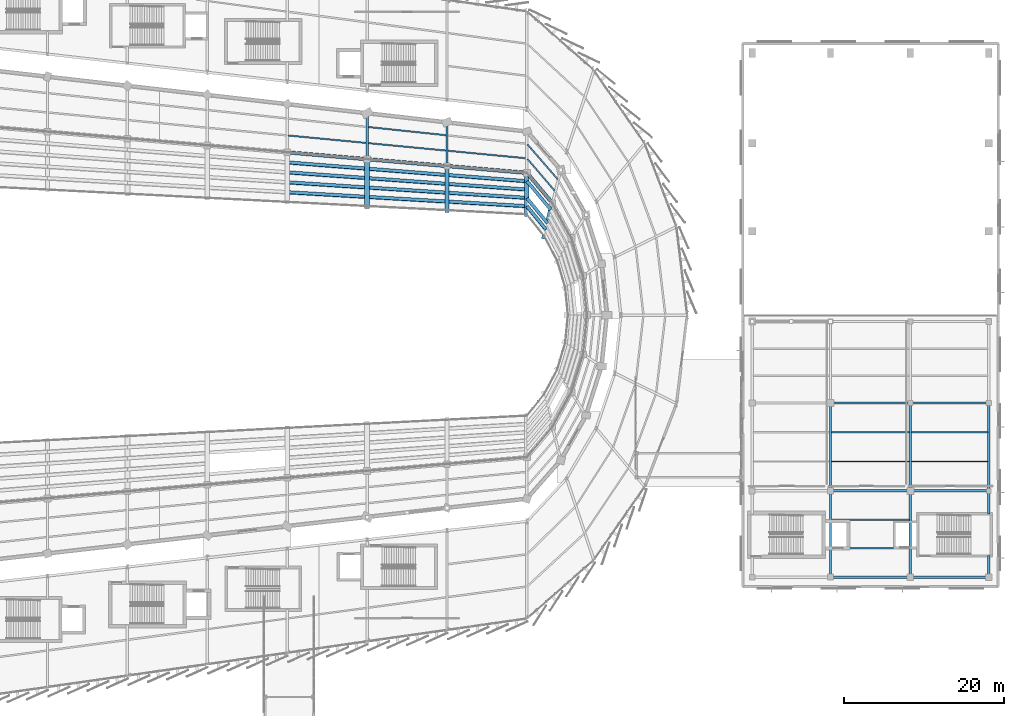
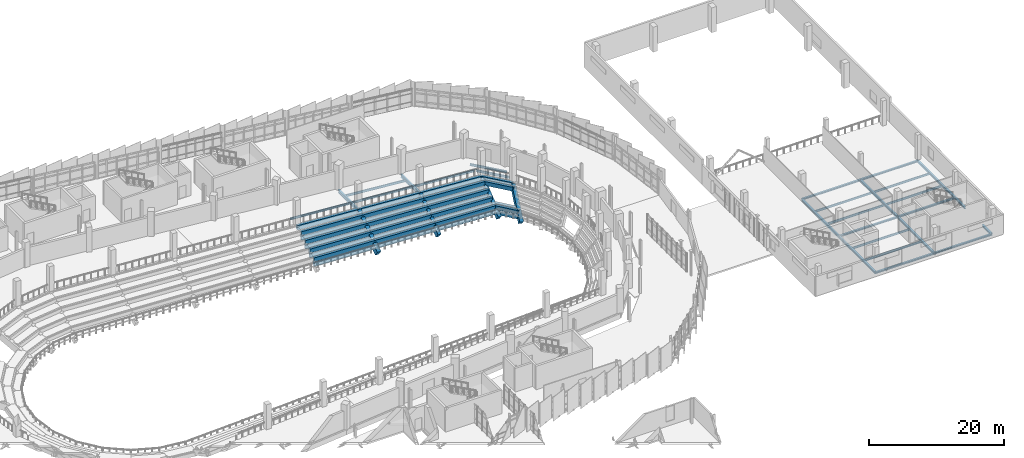
# One storey, part 70 of 134: 63 beams.
"""IFC4 building model written with IfcOpenShell, lengths in metres."""

import ifcopenshell
import ifcopenshell.guid

model = None  # the IFC model being written
_history = None  # IfcOwnerHistory: only IFC2X3 demands one
_inside = {}  # id of a spatial element -> (the spatial element, [elements in it])
_under = {}  # id of a project, library or spatial element -> (it, [spatial elements below it])
_declared = {}  # id of a project -> (the project, [libraries it declares])
_typed = {}  # id of a type object -> (the type object, [elements of that type])
_made_of = {}  # id of a material, layer set ... -> (it, [elements and type objects made of it])


def new_model(schema):
    """Start an empty IFC model of exactly this schema.

    Asked for "IFC4X3", IfcOpenShell would pick the latest addendum, in which some entities
    have other attributes; the version numbers below select the first issue.
    IFC2X3 requires an IfcOwnerHistory on every rooted entity: one is made here for all.
    """
    global model, _history
    if schema == "IFC4X3":
        model = ifcopenshell.file(schema_version=(4, 3, 0, 0))
    else:
        model = ifcopenshell.file(schema=schema)
    _inside.clear()
    _under.clear()
    _declared.clear()
    _typed.clear()
    _made_of.clear()
    _history = None
    if model.schema == "IFC2X3":
        org = make("IfcOrganization", Name="unknown")
        user = make(
            "IfcPersonAndOrganization",
            ThePerson=make("IfcPerson", FamilyName="unknown"),
            TheOrganization=org,
        )
        app = make(
            "IfcApplication",
            ApplicationDeveloper=org,
            Version="unknown",
            ApplicationFullName="unknown",
            ApplicationIdentifier="unknown",
        )
        _history = make(
            "IfcOwnerHistory",
            OwningUser=user,
            OwningApplication=app,
            ChangeAction="ADDED",
            CreationDate=0,
        )
    return model


def make(cls, **values):
    """One entity of the class cls with the attributes given. An attribute that is None is left unset."""
    return model.create_entity(
        cls, **{name: value for name, value in values.items() if value is not None}
    )


def rooted(cls, **values):
    """An entity with a GlobalId (a new one), such as an element, a storey or a relation."""
    return make(cls, GlobalId=ifcopenshell.guid.new(), OwnerHistory=_history, **values)


def si_unit(unit_type, name, prefix=None):
    """IfcSIUnit, for example si_unit("LENGTHUNIT", "METRE", prefix="MILLI")."""
    return make("IfcSIUnit", UnitType=unit_type, Prefix=prefix, Name=name)


def assignment(units):
    """IfcUnitAssignment: the units of a project."""
    return None if units is None else make("IfcUnitAssignment", Units=units)


def point(xyz):
    """IfcCartesianPoint."""
    return None if xyz is None else make("IfcCartesianPoint", Coordinates=xyz)


def direction(xyz):
    """IfcDirection."""
    return None if xyz is None else make("IfcDirection", DirectionRatios=xyz)


def frame(location, z_axis=None, x_axis=None):
    """IfcAxis2Placement3D, a coordinate frame: its origin and axes. An axis left out is left unset."""
    return make(
        "IfcAxis2Placement3D",
        Location=point(location),
        Axis=direction(z_axis),
        RefDirection=direction(x_axis),
    )


def frame_2d(location, x_axis=None):
    """IfcAxis2Placement2D, a coordinate frame in the plane: its origin and x axis."""
    return make(
        "IfcAxis2Placement2D", Location=point(location), RefDirection=direction(x_axis)
    )


def origin():
    """The frame at (0, 0, 0) with its axes left unset."""
    return frame((0.0, 0.0, 0.0))


def origin_2d():
    """The frame at (0, 0) in the plane with its x axis left unset."""
    return frame_2d((0.0, 0.0))


def place(relative_to, where):
    """IfcLocalPlacement: puts the frame where relative to a parent placement (None: the world)."""
    return make(
        "IfcLocalPlacement", PlacementRelTo=relative_to, RelativePlacement=where
    )


def context(
    kind, dimensions, precision=None, world=None, true_north=None, identifier=None
):
    """IfcGeometricRepresentationContext, for example the 3D "Model" context."""
    return make(
        "IfcGeometricRepresentationContext",
        ContextIdentifier=identifier,
        ContextType=kind,
        CoordinateSpaceDimension=dimensions,
        Precision=precision,
        WorldCoordinateSystem=world,
        TrueNorth=true_north,
    )


def subcontext(parent, identifier, kind, view, scale=None):
    """IfcGeometricRepresentationSubContext, for example "Body" below "Model"."""
    return make(
        "IfcGeometricRepresentationSubContext",
        ContextIdentifier=identifier,
        ContextType=kind,
        ParentContext=parent,
        TargetScale=scale,
        TargetView=view,
    )


def project(units=None, contexts=None):
    """IfcProject with its units and contexts."""
    return rooted(
        "IfcProject",
        Name="project",
        RepresentationContexts=contexts,
        UnitsInContext=assignment(units),
    )


def spatial(cls, under=None, at=None, **own):
    """A site, building, storey or space (cls), placed at a placement, below another one or the project."""
    s = rooted(cls, ObjectPlacement=at, **own)
    if under is not None:
        _under.setdefault(under.id(), (under, []))[1].append(s)
    return s


def profile(cls, at=None, kind="AREA", **sizes):
    """A parametric profile (cls). Its sizes go by their IFC names, for example OverallWidth=200.0."""
    return make(cls, ProfileType=kind, Position=at, **sizes)


def rectangle(**sizes):
    """IfcRectangleProfileDef."""
    return profile("IfcRectangleProfileDef", **sizes)


def i_section(**sizes):
    """IfcIShapeProfileDef."""
    return profile("IfcIShapeProfileDef", **sizes)


def extrude(swept, where, along, depth):
    """IfcExtrudedAreaSolid: the profile swept, set in the frame where, extruded along a direction by depth."""
    return make(
        "IfcExtrudedAreaSolid",
        SweptArea=swept,
        Position=where,
        ExtrudedDirection=direction(along),
        Depth=depth,
    )


def shape(context_of_items, identifier, shape_type, items):
    """IfcShapeRepresentation: the items that make up one representation, for example the "Body"."""
    return make(
        "IfcShapeRepresentation",
        ContextOfItems=context_of_items,
        RepresentationIdentifier=identifier,
        RepresentationType=shape_type,
        Items=items,
    )


def material(Name=None, Category=None):
    """IfcMaterial."""
    return make("IfcMaterial", Name=Name, Category=Category)


def material_profile(
    of_material, cross_section, Name=None, Category=None, Priority=None
):
    """IfcMaterialProfile: a cross section and its material."""
    return make(
        "IfcMaterialProfile",
        Name=Name,
        Material=of_material,
        Profile=cross_section,
        Priority=Priority,
        Category=Category,
    )


def profile_set(profiles, Name=None, composite=None):
    """IfcMaterialProfileSet."""
    return make(
        "IfcMaterialProfileSet",
        Name=Name,
        MaterialProfiles=profiles,
        CompositeProfile=composite,
    )


def made_of(thing, what):
    """Note that an element or type object is made of a material, layer set ...; save() writes the relation."""
    if what is not None:
        _made_of.setdefault(what.id(), (what, []))[1].append(thing)
    return thing


def type_object(cls, material=None, **own):
    """A type object (cls), such as IfcWallType, which elements share."""
    return made_of(rooted(cls, **own), material)


def element(
    cls,
    number,
    at=None,
    inside=None,
    cuts=None,
    type_object=None,
    material=None,
    context=None,
    identifier="Body",
    shape_type=None,
    held_by="IfcProductDefinitionShape",
    body=None,
    shapes=None,
    **own,
):
    """One element of the class cls, such as IfcWall. Its Tag is "e" and its number.

    at: its placement. inside: the storey or other place that contains it. cuts: it is an
    opening in that element (IfcRelVoidsElement). A single representation is given by context,
    identifier, shape_type and body (its items); several are given by shapes. held_by: the class
    of the entity that holds the representations. save() writes the other relations.
    """
    e = rooted(cls, Tag="e%d" % number, ObjectPlacement=at, **own)
    if body is not None:
        shapes = [shape(context, identifier, shape_type, body)]
    if shapes is not None:
        e.Representation = make(held_by, Representations=shapes)
    if inside is not None:
        _inside.setdefault(inside.id(), (inside, []))[1].append(e)
    if cuts is not None:
        rooted(
            "IfcRelVoidsElement", RelatingBuildingElement=cuts, RelatedOpeningElement=e
        )
    if type_object is not None:
        _typed.setdefault(type_object.id(), (type_object, []))[1].append(e)
    return made_of(e, material)


def aggregate(whole, parts):
    """IfcRelAggregates: a whole, such as a stair, and the parts it consists of."""
    return rooted("IfcRelAggregates", RelatingObject=whole, RelatedObjects=parts)


def save(model, path):
    """Write the relations noted so far, then the file.

    IfcRelAggregates (storeys below a building ...), IfcRelContainedInSpatialStructure (elements
    in a storey), IfcRelDefinesByType, IfcRelAssociatesMaterial and IfcRelDeclares: one each for
    every whole, place, type object, material and project.
    """
    for whole, parts in _under.values():
        aggregate(whole, parts)
    for where, things in _inside.values():
        rooted(
            "IfcRelContainedInSpatialStructure",
            RelatedElements=things,
            RelatingStructure=where,
        )
    for kind, things in _typed.values():
        rooted("IfcRelDefinesByType", RelatedObjects=things, RelatingType=kind)
    for what, things in _made_of.values():
        rooted("IfcRelAssociatesMaterial", RelatedObjects=things, RelatingMaterial=what)
    for by, libraries in _declared.values():
        rooted("IfcRelDeclares", RelatingContext=by, RelatedDefinitions=libraries)
    model.write(path)


model = new_model("IFC4")

# Units and contexts
model_context = context("Model", 3, precision=1e-05, world=origin(), true_north=direction((0.0, 1.0)))
body_context = subcontext(model_context, "Body", "Model", "MODEL_VIEW")
ifc_project = project(units=[si_unit("LENGTHUNIT", "METRE"), si_unit("AREAUNIT", "SQUARE_METRE"), si_unit("VOLUMEUNIT", "CUBIC_METRE"), si_unit("PLANEANGLEUNIT", "RADIAN"), si_unit("MASSUNIT", "GRAM", prefix="KILO")], contexts=[model_context])

# Site, building, storey
site_placement = place(None, origin())
site = spatial("IfcSite", under=ifc_project, at=site_placement, CompositionType="ELEMENT")
building_placement = place(site_placement, origin())
building = spatial("IfcBuilding", under=site, at=building_placement, Name="Sohan Crest Arena", CompositionType="ELEMENT")
storey_placement = place(building_placement, frame((0.0, 0.0, 4.5)))
storey = spatial("IfcBuildingStorey", under=building, at=storey_placement, Name="L01", CompositionType="ELEMENT", Elevation=4.5)

# Beams
ifc_material_1 = material(Name="Steel S355", Category="steel")
ifc_material_profile_1 = material_profile(ifc_material_1, i_section(OverallWidth=0.169921875, OverallDepth=0.360107421875, WebThickness=0.008056640625, FlangeThickness=0.0126953125, at=origin_2d()), Name="IPE 360")
ifc_profile_set_1 = profile_set([ifc_material_profile_1], Name="Steel S355")
beam_type_1 = type_object("IfcBeamType", Name="STR-BM-B02", PredefinedType="JOIST", material=ifc_profile_set_1)
for number, where, z_axis, x_axis, name in (
    (1, (206.110107421875, 48.800048828125, -0.409912109375), (1.0, 0.0, 0.0), (0.0, 1.0, 0.0), "Structural beam J-L01-2280"),
    (2, (206.110107421875, 52.39990234375, -0.409912109375), (1.0, 0.0, 0.0), (0.0, 1.0, 0.0), "Structural beam J-L01-2281"),
    (3, (206.110107421875, 59.6669921875, -0.409912109375), (1.0, 0.0, 0.0), (0.0, 1.0, 0.0), "Structural beam J-L01-2287"),
    (4, (206.110107421875, 63.3330078125, -0.409912109375), (1.0, 0.0, 0.0), (0.0, 1.0, 0.0), "Structural beam J-L01-2288"),
):
    element("IfcBeam", number, at=place(storey_placement, frame(where, z_axis=z_axis, x_axis=x_axis)), inside=storey, type_object=beam_type_1, Name=name, PredefinedType="JOIST", context=body_context, shape_type="SweptSolid", body=[
        extrude(i_section(OverallWidth=0.169921875, OverallDepth=0.360107421875, WebThickness=0.008056640625, FlangeThickness=0.0126953125, at=origin_2d()), origin(), (0.0, 0.0, 1.0), 9.77978515625),
    ])
for number, where, z_axis, x_axis, name in (
    (5, (216.110107421875, 59.6669921875, -0.409912109375), (1.0, 0.0, 0.0), (0.0, 1.0, 0.0), "Structural beam J-L01-2290"),
    (6, (216.110107421875, 63.3330078125, -0.409912109375), (1.0, 0.0, 0.0), (0.0, 1.0, 0.0), "Structural beam J-L01-2291"),
):
    element("IfcBeam", number, at=place(storey_placement, frame(where, z_axis=z_axis, x_axis=x_axis)), inside=storey, type_object=beam_type_1, Name=name, PredefinedType="JOIST", context=body_context, shape_type="SweptSolid", body=[
        extrude(i_section(OverallWidth=0.169921875, OverallDepth=0.360107421875, WebThickness=0.008056640625, FlangeThickness=0.0126953125, at=origin_2d()), origin(), (0.0, 0.0, 1.0), 9.579833984375),
    ])
ifc_material_profile_2 = material_profile(ifc_material_1, i_section(OverallWidth=0.179931640625, OverallDepth=0.39990234375, WebThickness=0.008544921875, FlangeThickness=0.013427734375, at=origin_2d()), Name="IPE 400")
ifc_profile_set_2 = profile_set([ifc_material_profile_2], Name="Steel S355")
beam_type_2 = type_object("IfcBeamType", Name="STR-BM-B03", PredefinedType="JOIST", material=ifc_profile_set_2)
beam_1_placement = place(storey_placement, frame((171.489013671875, 93.5458984375, -0.449951171875), z_axis=(-0.65046216093, 0.759538660766, 0.0), x_axis=(-0.759538660766, -0.65046216093, 0.0)))
element("IfcBeam", 7, at=beam_1_placement, inside=storey, type_object=beam_type_2, Name="Structural beam J-L01-0645", PredefinedType="JOIST", context=body_context, shape_type="SweptSolid", body=[
    extrude(i_section(OverallWidth=0.179931640625, OverallDepth=0.39990234375, WebThickness=0.008544921875, FlangeThickness=0.013427734375, at=origin_2d()), origin(), (0.0, 0.0, 1.0), 5.253173828125),
])
beam_2_placement = place(storey_placement, frame((171.85595703125, 94.993896484375, -0.449951171875), z_axis=(-0.655191219496, 0.755463080432, 0.0), x_axis=(-0.755463080432, -0.655191219496, 0.0)))
element("IfcBeam", 8, at=beam_2_placement, inside=storey, type_object=beam_type_2, Name="Structural beam J-L01-0646", PredefinedType="JOIST", context=body_context, shape_type="SweptSolid", body=[
    extrude(i_section(OverallWidth=0.179931640625, OverallDepth=0.39990234375, WebThickness=0.008544921875, FlangeThickness=0.013427734375, at=origin_2d()), origin(), (0.0, 0.0, 1.0), 5.775390625),
])
for number, where, z_axis, x_axis, name in (
    (9, (167.89111328125, 97.6298828125, -0.449951171875), (-0.995443739336, 0.095350730547, 0.0), (-0.095350730547, -0.995443739336, 0.0), "Structural beam J-L01-0667"),
    (10, (157.89111328125, 98.5869140625, -0.449951171875), (-0.995443739336, 0.095350730547, 0.0), (-0.095350730547, -0.995443739336, 0.0), "Structural beam J-L01-0689"),
):
    element("IfcBeam", number, at=place(storey_placement, frame(where, z_axis=z_axis, x_axis=x_axis)), inside=storey, type_object=beam_type_2, Name=name, PredefinedType="JOIST", context=body_context, shape_type="SweptSolid", body=[
        extrude(i_section(OverallWidth=0.179931640625, OverallDepth=0.39990234375, WebThickness=0.008544921875, FlangeThickness=0.013427734375, at=origin_2d()), origin(), (0.0, 0.0, 1.0), 9.826904296875),
    ])
beam_3_placement = place(storey_placement, frame((157.89111328125, 100.509033203125, -0.449951171875), z_axis=(-0.994470991784, 0.105011649352, 0.0), x_axis=(-0.105011649352, -0.994470991784, 0.0)))
element("IfcBeam", 11, at=beam_3_placement, inside=storey, type_object=beam_type_2, Name="Structural beam J-L01-0690", PredefinedType="JOIST", context=body_context, shape_type="SweptSolid", body=[
    extrude(i_section(OverallWidth=0.179931640625, OverallDepth=0.39990234375, WebThickness=0.008544921875, FlangeThickness=0.013427734375, at=origin_2d()), origin(), (0.0, 0.0, 1.0), 9.836669921875),
])
beam_4_placement = place(storey_placement, frame((147.89111328125, 99.5439453125, -0.449951171875), z_axis=(-0.995443739336, 0.095350730547, 0.0), x_axis=(-0.095350730547, -0.995443739336, 0.0)))
element("IfcBeam", 12, at=beam_4_placement, inside=storey, type_object=beam_type_2, Name="Structural beam J-L01-0711", PredefinedType="JOIST", context=body_context, shape_type="SweptSolid", body=[
    extrude(i_section(OverallWidth=0.179931640625, OverallDepth=0.39990234375, WebThickness=0.008544921875, FlangeThickness=0.013427734375, at=origin_2d()), origin(), (0.0, 0.0, 1.0), 9.826904296875),
])
ifc_material_profile_3 = material_profile(ifc_material_1, i_section(OverallWidth=0.300048828125, OverallDepth=0.2900390625, WebThickness=0.008544921875, FlangeThickness=0.013916015625, at=origin_2d()), Name="HEA 300")
ifc_profile_set_3 = profile_set([ifc_material_profile_3], Name="Steel S355")
beam_type_3 = type_object("IfcBeamType", Name="STR-BM-B08", PredefinedType="BEAM", material=ifc_profile_set_3)
beam_5_placement = place(storey_placement, frame((206.0, 45.199951171875, -0.375), z_axis=(1.0, 0.0, 0.0), x_axis=(0.0, 1.0, 0.0)))
element("IfcBeam", 13, at=beam_5_placement, inside=storey, type_object=beam_type_3, Name="Structural beam G-L01-2279", PredefinedType="BEAM", context=body_context, shape_type="SweptSolid", body=[
    extrude(i_section(OverallWidth=0.300048828125, OverallDepth=0.2900390625, WebThickness=0.008544921875, FlangeThickness=0.013916015625, at=origin_2d()), origin(), (0.0, 0.0, 1.0), 10.0),
])
beam_6_placement = place(storey_placement, frame((216.0, 45.199951171875, -0.375), z_axis=(1.0, 0.0, 0.0), x_axis=(0.0, 1.0, 0.0)))
element("IfcBeam", 14, at=beam_6_placement, inside=storey, type_object=beam_type_3, Name="Structural beam G-L01-2282", PredefinedType="BEAM", context=body_context, shape_type="SweptSolid", body=[
    extrude(i_section(OverallWidth=0.300048828125, OverallDepth=0.2900390625, WebThickness=0.008544921875, FlangeThickness=0.013916015625, at=origin_2d()), origin(), (0.0, 0.0, 1.0), 9.800048828125),
])
beam_7_placement = place(storey_placement, frame((206.0, 56.0, -0.375), z_axis=(1.0, 0.0, 0.0), x_axis=(0.0, 1.0, 0.0)))
element("IfcBeam", 15, at=beam_7_placement, inside=storey, type_object=beam_type_3, Name="Structural beam G-L01-2286", PredefinedType="BEAM", context=body_context, shape_type="SweptSolid", body=[
    extrude(i_section(OverallWidth=0.300048828125, OverallDepth=0.2900390625, WebThickness=0.008544921875, FlangeThickness=0.013916015625, at=origin_2d()), origin(), (0.0, 0.0, 1.0), 10.0),
])
beam_8_placement = place(storey_placement, frame((216.0, 56.0, -0.375), z_axis=(1.0, 0.0, 0.0), x_axis=(0.0, 1.0, 0.0)))
element("IfcBeam", 16, at=beam_8_placement, inside=storey, type_object=beam_type_3, Name="Structural beam G-L01-2289", PredefinedType="BEAM", context=body_context, shape_type="SweptSolid", body=[
    extrude(i_section(OverallWidth=0.300048828125, OverallDepth=0.2900390625, WebThickness=0.008544921875, FlangeThickness=0.013916015625, at=origin_2d()), origin(), (0.0, 0.0, 1.0), 9.800048828125),
])
beam_9_placement = place(storey_placement, frame((206.0, 67.0, -0.375), z_axis=(1.0, 0.0, 0.0), x_axis=(0.0, 1.0, 0.0)))
element("IfcBeam", 17, at=beam_9_placement, inside=storey, type_object=beam_type_3, Name="Structural beam G-L01-2295", PredefinedType="BEAM", context=body_context, shape_type="SweptSolid", body=[
    extrude(i_section(OverallWidth=0.300048828125, OverallDepth=0.2900390625, WebThickness=0.008544921875, FlangeThickness=0.013916015625, at=origin_2d()), origin(), (0.0, 0.0, 1.0), 10.0),
])
beam_10_placement = place(storey_placement, frame((216.0, 67.0, -0.375), z_axis=(1.0, 0.0, 0.0), x_axis=(0.0, 1.0, 0.0)))
element("IfcBeam", 18, at=beam_10_placement, inside=storey, type_object=beam_type_3, Name="Structural beam G-L01-2298", PredefinedType="BEAM", context=body_context, shape_type="SweptSolid", body=[
    extrude(i_section(OverallWidth=0.300048828125, OverallDepth=0.2900390625, WebThickness=0.008544921875, FlangeThickness=0.013916015625, at=origin_2d()), origin(), (0.0, 0.0, 1.0), 9.800048828125),
])
ifc_material_profile_4 = material_profile(ifc_material_1, i_section(OverallWidth=0.300048828125, OverallDepth=0.389892578125, WebThickness=0.010986328125, FlangeThickness=0.01904296875, at=origin_2d()), Name="HEA 400")
ifc_profile_set_4 = profile_set([ifc_material_profile_4], Name="Steel S355")
beam_type_4 = type_object("IfcBeamType", Name="STR-BM-B09", PredefinedType="BEAM", material=ifc_profile_set_4)
beam_11_placement = place(storey_placement, frame((206.0, 45.199951171875, -0.425048828125), z_axis=(0.0, 1.0, 0.0), x_axis=(-1.0, 0.0, 0.0)))
element("IfcBeam", 19, at=beam_11_placement, inside=storey, type_object=beam_type_4, Name="Structural beam G-L01-2268", PredefinedType="BEAM", context=body_context, shape_type="SweptSolid", body=[
    extrude(i_section(OverallWidth=0.300048828125, OverallDepth=0.389892578125, WebThickness=0.010986328125, FlangeThickness=0.01904296875, at=origin_2d()), origin(), (0.0, 0.0, 1.0), 10.800048828125),
])
beam_12_placement = place(storey_placement, frame((206.0, 56.0, -0.425048828125), z_axis=(0.0, 1.0, 0.0), x_axis=(-1.0, 0.0, 0.0)))
element("IfcBeam", 20, at=beam_12_placement, inside=storey, type_object=beam_type_4, Name="Structural beam G-L01-2269", PredefinedType="BEAM", context=body_context, shape_type="SweptSolid", body=[
    extrude(i_section(OverallWidth=0.300048828125, OverallDepth=0.389892578125, WebThickness=0.010986328125, FlangeThickness=0.01904296875, at=origin_2d()), origin(), (0.0, 0.0, 1.0), 11.0),
])
beam_13_placement = place(storey_placement, frame((216.0, 45.199951171875, -0.425048828125), z_axis=(0.0, 1.0, 0.0), x_axis=(-1.0, 0.0, 0.0)))
element("IfcBeam", 21, at=beam_13_placement, inside=storey, type_object=beam_type_4, Name="Structural beam G-L01-2271", PredefinedType="BEAM", context=body_context, shape_type="SweptSolid", body=[
    extrude(i_section(OverallWidth=0.300048828125, OverallDepth=0.389892578125, WebThickness=0.010986328125, FlangeThickness=0.01904296875, at=origin_2d()), origin(), (0.0, 0.0, 1.0), 10.800048828125),
])
beam_14_placement = place(storey_placement, frame((216.0, 56.0, -0.425048828125), z_axis=(0.0, 1.0, 0.0), x_axis=(-1.0, 0.0, 0.0)))
element("IfcBeam", 22, at=beam_14_placement, inside=storey, type_object=beam_type_4, Name="Structural beam G-L01-2272", PredefinedType="BEAM", context=body_context, shape_type="SweptSolid", body=[
    extrude(i_section(OverallWidth=0.300048828125, OverallDepth=0.389892578125, WebThickness=0.010986328125, FlangeThickness=0.01904296875, at=origin_2d()), origin(), (0.0, 0.0, 1.0), 11.0),
])
beam_15_placement = place(storey_placement, frame((225.800048828125, 45.199951171875, -0.425048828125), z_axis=(0.0, 1.0, 0.0), x_axis=(-1.0, 0.0, 0.0)))
element("IfcBeam", 23, at=beam_15_placement, inside=storey, type_object=beam_type_4, Name="Structural beam G-L01-2274", PredefinedType="BEAM", context=body_context, shape_type="SweptSolid", body=[
    extrude(i_section(OverallWidth=0.300048828125, OverallDepth=0.389892578125, WebThickness=0.010986328125, FlangeThickness=0.01904296875, at=origin_2d()), origin(), (0.0, 0.0, 1.0), 2.719970703125),
])
beam_16_placement = place(storey_placement, frame((225.800048828125, 53.080078125, -0.425048828125), z_axis=(0.0, 1.0, 0.0), x_axis=(-1.0, 0.0, 0.0)))
element("IfcBeam", 24, at=beam_16_placement, inside=storey, type_object=beam_type_4, Name="Structural beam G-L01-2275", PredefinedType="BEAM", context=body_context, shape_type="SweptSolid", body=[
    extrude(i_section(OverallWidth=0.300048828125, OverallDepth=0.389892578125, WebThickness=0.010986328125, FlangeThickness=0.01904296875, at=origin_2d()), origin(), (0.0, 0.0, 1.0), 2.919921875),
])
beam_17_placement = place(storey_placement, frame((225.800048828125, 56.0, -0.425048828125), z_axis=(0.0, 1.0, 0.0), x_axis=(-1.0, 0.0, 0.0)))
element("IfcBeam", 25, at=beam_17_placement, inside=storey, type_object=beam_type_4, Name="Structural beam G-L01-2276", PredefinedType="BEAM", context=body_context, shape_type="SweptSolid", body=[
    extrude(i_section(OverallWidth=0.300048828125, OverallDepth=0.389892578125, WebThickness=0.010986328125, FlangeThickness=0.01904296875, at=origin_2d()), origin(), (0.0, 0.0, 1.0), 11.0),
])
ifc_material_profile_5 = material_profile(ifc_material_1, i_section(OverallWidth=0.300048828125, OverallDepth=0.590087890625, WebThickness=0.012939453125, FlangeThickness=0.02490234375, at=origin_2d()), Name="HEA 600")
ifc_profile_set_5 = profile_set([ifc_material_profile_5], Name="Steel S355")
beam_type_5 = type_object("IfcBeamType", Name="STR-BM-B11", PredefinedType="BEAM", material=ifc_profile_set_5)
beam_18_placement = place(storey_placement, frame((158.0, 96.656982421875, -0.544921875), z_axis=(0.0, 1.0, 0.0), x_axis=(-1.0, 0.0, 0.0)))
element("IfcBeam", 26, at=beam_18_placement, inside=storey, type_object=beam_type_5, Name="Structural beam G-L01-0688", PredefinedType="BEAM", context=body_context, shape_type="SweptSolid", body=[
    extrude(i_section(OverallWidth=0.300048828125, OverallDepth=0.590087890625, WebThickness=0.012939453125, FlangeThickness=0.02490234375, at=origin_2d()), origin(), (0.0, 0.0, 1.0), 5.486083984375),
])
beam_19_placement = place(storey_placement, frame((148.0, 97.513916015625, -0.544921875), z_axis=(0.0, 1.0, 0.0), x_axis=(-1.0, 0.0, 0.0)))
element("IfcBeam", 27, at=beam_19_placement, inside=storey, type_object=beam_type_5, Name="Structural beam G-L01-0710", PredefinedType="BEAM", context=body_context, shape_type="SweptSolid", body=[
    extrude(i_section(OverallWidth=0.300048828125, OverallDepth=0.590087890625, WebThickness=0.012939453125, FlangeThickness=0.02490234375, at=origin_2d()), origin(), (0.0, 0.0, 1.0), 5.77197265625),
])
ifc_material_2 = material(Name="Precast concrete C50/60", Category="concrete")
ifc_material_profile_6 = material_profile(ifc_material_2, rectangle(XDim=0.550048828125, YDim=0.89990234375, at=origin_2d()), Name="RAKER 550x900")
ifc_profile_set_6 = profile_set([ifc_material_profile_6], Name="Precast concrete C50/60")
beam_type_6 = type_object("IfcBeamType", Name="STR-BM-RK01", PredefinedType="USERDEFINED", material=ifc_profile_set_6)
beam_20_placement = place(storey_placement, frame((168.0, 90.60009765625, -4.75), z_axis=(0.0, 0.785259168609, 0.619167213372), x_axis=(-1.0, 0.0, 0.0)))
element("IfcBeam", 28, at=beam_20_placement, inside=storey, type_object=beam_type_6, Name="Structural beam RK-L01-0880", ObjectType="RAKER", PredefinedType="USERDEFINED", context=body_context, shape_type="SweptSolid", body=[
    extrude(rectangle(XDim=0.550048828125, YDim=0.89990234375, at=origin_2d()), origin(), (0.0, 0.0, 1.0), 6.6220703125),
])
ifc_material_profile_7 = material_profile(ifc_material_2, rectangle(XDim=0.550048828125, YDim=1.0, at=origin_2d()), Name="RAKER 550x1000")
ifc_profile_set_7 = profile_set([ifc_material_profile_7], Name="Precast concrete C50/60")
beam_type_7 = type_object("IfcBeamType", Name="STR-BM-RK02", PredefinedType="USERDEFINED", material=ifc_profile_set_7)
beam_21_placement = place(storey_placement, frame((158.0, 91.114013671875, -4.75), z_axis=(0.0, 0.803959729241, 0.594683742639), x_axis=(-1.0, 0.0, 0.0)))
element("IfcBeam", 29, at=beam_21_placement, inside=storey, type_object=beam_type_7, Name="Structural beam RK-L01-0883", ObjectType="RAKER", PredefinedType="USERDEFINED", context=body_context, shape_type="SweptSolid", body=[
    extrude(rectangle(XDim=0.550048828125, YDim=1.0, at=origin_2d()), origin(), (0.0, 0.0, 1.0), 6.89453125),
])
ifc_material_profile_8 = material_profile(ifc_material_2, rectangle(XDim=0.60009765625, YDim=1.10009765625, at=origin_2d()), Name="RAKER 600x1100")
ifc_profile_set_8 = profile_set([ifc_material_profile_8], Name="Precast concrete C50/60")
beam_type_8 = type_object("IfcBeamType", Name="STR-BM-RK03", PredefinedType="USERDEFINED", material=ifc_profile_set_8)
beam_22_placement = place(storey_placement, frame((170.18603515625, 87.887939453125, -4.75), z_axis=(0.170796844686, 0.698740687925, 0.694686899894), x_axis=(-0.971401069837, 0.237444649382, 0.0)))
element("IfcBeam", 30, at=beam_22_placement, inside=storey, type_object=beam_type_8, Name="Structural beam RK-L01-0877", ObjectType="RAKER", PredefinedType="USERDEFINED", context=body_context, shape_type="SweptSolid", body=[
    extrude(rectangle(XDim=0.60009765625, YDim=1.10009765625, at=origin_2d()), origin(), (0.0, 0.0, 1.0), 5.902099609375),
])
beam_23_placement = place(storey_placement, frame((148.0, 91.62890625, -4.75), z_axis=(0.0, 0.820501216025, 0.571644780001), x_axis=(-1.0, 0.0, 0.0)))
element("IfcBeam", 31, at=beam_23_placement, inside=storey, type_object=beam_type_8, Name="Structural beam RK-L01-0886", ObjectType="RAKER", PredefinedType="USERDEFINED", context=body_context, shape_type="SweptSolid", body=[
    extrude(rectangle(XDim=0.60009765625, YDim=1.10009765625, at=origin_2d()), origin(), (0.0, 0.0, 1.0), 7.17236328125),
])
ifc_material_3 = material(Name="Concrete C40/50", Category="concrete")
ifc_material_profile_9 = material_profile(ifc_material_3, rectangle(XDim=0.39990234375, YDim=0.699951171875, at=origin_2d()), Name="RC-BM 400x700")
ifc_profile_set_9 = profile_set([ifc_material_profile_9], Name="Concrete C40/50")
beam_type_9 = type_object("IfcBeamType", Name="STR-BM-TB01", PredefinedType="BEAM", material=ifc_profile_set_9)
beam_24_placement = place(storey_placement, frame((170.3798828125, 88.679931640625, -4.220947265625), z_axis=(-0.632036570672, 0.774938561005, 0.0), x_axis=(-0.774938561005, -0.632036570672, 0.0)))
element("IfcBeam", 32, at=beam_24_placement, inside=storey, type_object=beam_type_9, Name="Tier rear stringer beam TSB-L192B", PredefinedType="BEAM", context=body_context, shape_type="SweptSolid", body=[
    extrude(rectangle(XDim=0.39990234375, YDim=0.699951171875, at=origin_2d()), origin(), (0.0, 0.0, 1.0), 3.765380859375),
])
beam_25_placement = place(storey_placement, frame((170.387939453125, 88.712890625, -3.40087890625), z_axis=(-0.632146129713, 0.774849192223, 0.0), x_axis=(-0.774849192223, -0.632146129713, 0.0)))
element("IfcBeam", 33, at=beam_25_placement, inside=storey, type_object=beam_type_9, Name="Tier front stringer beam TSB-L193A", PredefinedType="BEAM", context=body_context, shape_type="SweptSolid", body=[
    extrude(rectangle(XDim=0.39990234375, YDim=0.699951171875, at=origin_2d()), origin(), (0.0, 0.0, 1.0), 3.777587890625),
])
beam_26_placement = place(storey_placement, frame((170.5810546875, 89.5048828125, -3.40087890625), z_axis=(-0.635837947532, 0.771822586141, 0.0), x_axis=(-0.771822586141, -0.635837947532, 0.0)))
element("IfcBeam", 34, at=beam_26_placement, inside=storey, type_object=beam_type_9, Name="Tier rear stringer beam TSB-L193B", PredefinedType="BEAM", context=body_context, shape_type="SweptSolid", body=[
    extrude(rectangle(XDim=0.39990234375, YDim=0.699951171875, at=origin_2d()), origin(), (0.0, 0.0, 1.0), 4.059326171875),
])
beam_27_placement = place(storey_placement, frame((170.991943359375, 91.18701171875, -0.94091796875), z_axis=(-0.642011861857, 0.766694704061, 0.0), x_axis=(-0.766694704061, -0.642011861857, 0.0)))
element("IfcBeam", 35, at=beam_27_placement, inside=storey, type_object=beam_type_9, Name="Tier front stringer beam TSB-L194A", PredefinedType="BEAM", context=body_context, shape_type="SweptSolid", body=[
    extrude(rectangle(XDim=0.39990234375, YDim=0.699951171875, at=origin_2d()), origin(), (0.0, 0.0, 1.0), 4.66015625),
])
beam_28_placement = place(storey_placement, frame((168.0, 91.597900390625, -4.220947265625), z_axis=(-0.998321780946, 0.057910462684, 0.0), x_axis=(-0.057910462684, -0.998321780946, 0.0)))
element("IfcBeam", 36, at=beam_28_placement, inside=storey, type_object=beam_type_9, Name="Tier rear stringer beam TSB-L196B", PredefinedType="BEAM", context=body_context, shape_type="SweptSolid", body=[
    extrude(rectangle(XDim=0.39990234375, YDim=0.699951171875, at=origin_2d()), origin(), (0.0, 0.0, 1.0), 10.016845703125),
])
beam_29_placement = place(storey_placement, frame((168.0, 91.639892578125, -3.40087890625), z_axis=(-0.99830482962, 0.058201951492, 0.0), x_axis=(-0.058201951492, -0.99830482962, 0.0)))
element("IfcBeam", 37, at=beam_29_placement, inside=storey, type_object=beam_type_9, Name="Tier front stringer beam TSB-L197A", PredefinedType="BEAM", context=body_context, shape_type="SweptSolid", body=[
    extrude(rectangle(XDim=0.39990234375, YDim=0.699951171875, at=origin_2d()), origin(), (0.0, 0.0, 1.0), 10.01708984375),
])
beam_30_placement = place(storey_placement, frame((168.0, 92.637939453125, -3.40087890625), z_axis=(-0.997899528616, 0.064780635903, 0.0), x_axis=(-0.064780635903, -0.997899528616, 0.0)))
element("IfcBeam", 38, at=beam_30_placement, inside=storey, type_object=beam_type_9, Name="Tier rear stringer beam TSB-L197B", PredefinedType="BEAM", context=body_context, shape_type="SweptSolid", body=[
    extrude(rectangle(XDim=0.39990234375, YDim=0.699951171875, at=origin_2d()), origin(), (0.0, 0.0, 1.0), 10.02099609375),
])
beam_31_placement = place(storey_placement, frame((168.0, 92.679931640625, -2.5810546875), z_axis=(-0.99788691053, 0.064974716562, 0.0), x_axis=(-0.064974716562, -0.99788691053, 0.0)))
element("IfcBeam", 39, at=beam_31_placement, inside=storey, type_object=beam_type_9, Name="Tier front stringer beam TSB-L198A", PredefinedType="BEAM", context=body_context, shape_type="SweptSolid", body=[
    extrude(rectangle(XDim=0.39990234375, YDim=0.699951171875, at=origin_2d()), origin(), (0.0, 0.0, 1.0), 10.021240234375),
])
beam_32_placement = place(storey_placement, frame((168.0, 93.677978515625, -2.5810546875), z_axis=(-0.997439131676, 0.0715204768, 0.0), x_axis=(-0.0715204768, -0.997439131676, 0.0)))
element("IfcBeam", 40, at=beam_32_placement, inside=storey, type_object=beam_type_9, Name="Tier rear stringer beam TSB-L198B", PredefinedType="BEAM", context=body_context, shape_type="SweptSolid", body=[
    extrude(rectangle(XDim=0.39990234375, YDim=0.699951171875, at=origin_2d()), origin(), (0.0, 0.0, 1.0), 10.025634765625),
])
beam_33_placement = place(storey_placement, frame((168.0, 93.719970703125, -1.760986328125), z_axis=(-0.997418243661, 0.07181119142, 0.0), x_axis=(-0.07181119142, -0.997418243661, 0.0)))
element("IfcBeam", 41, at=beam_33_placement, inside=storey, type_object=beam_type_9, Name="Tier front stringer beam TSB-L199A", PredefinedType="BEAM", context=body_context, shape_type="SweptSolid", body=[
    extrude(rectangle(XDim=0.39990234375, YDim=0.699951171875, at=origin_2d()), origin(), (0.0, 0.0, 1.0), 10.02587890625),
])
beam_34_placement = place(storey_placement, frame((168.0, 94.718017578125, -1.760986328125), z_axis=(-0.996926126338, 0.078347294939, 0.0), x_axis=(-0.078347294939, -0.996926126338, 0.0)))
element("IfcBeam", 42, at=beam_34_placement, inside=storey, type_object=beam_type_9, Name="Tier rear stringer beam TSB-L199B", PredefinedType="BEAM", context=body_context, shape_type="SweptSolid", body=[
    extrude(rectangle(XDim=0.39990234375, YDim=0.699951171875, at=origin_2d()), origin(), (0.0, 0.0, 1.0), 10.03076171875),
])
beam_35_placement = place(storey_placement, frame((168.0, 94.760009765625, -0.94091796875), z_axis=(-0.996908993551, 0.078564995878, 0.0), x_axis=(-0.078564995878, -0.996908993551, 0.0)))
element("IfcBeam", 43, at=beam_35_placement, inside=storey, type_object=beam_type_9, Name="Tier front stringer beam TSB-L200A", PredefinedType="BEAM", context=body_context, shape_type="SweptSolid", body=[
    extrude(rectangle(XDim=0.39990234375, YDim=0.699951171875, at=origin_2d()), origin(), (0.0, 0.0, 1.0), 10.031005859375),
])
beam_36_placement = place(storey_placement, frame((158.0, 92.177978515625, -4.220947265625), z_axis=(-0.998316139897, 0.058007627269, 0.0), x_axis=(-0.058007627269, -0.998316139897, 0.0)))
element("IfcBeam", 44, at=beam_36_placement, inside=storey, type_object=beam_type_9, Name="Tier rear stringer beam TSB-L206B", PredefinedType="BEAM", context=body_context, shape_type="SweptSolid", body=[
    extrude(rectangle(XDim=0.39990234375, YDim=0.699951171875, at=origin_2d()), origin(), (0.0, 0.0, 1.0), 10.016845703125),
])
beam_37_placement = place(storey_placement, frame((158.0, 92.222900390625, -3.40087890625), z_axis=(-0.99830482962, 0.058201951492, 0.0), x_axis=(-0.058201951492, -0.99830482962, 0.0)))
element("IfcBeam", 45, at=beam_37_placement, inside=storey, type_object=beam_type_9, Name="Tier front stringer beam TSB-L207A", PredefinedType="BEAM", context=body_context, shape_type="SweptSolid", body=[
    extrude(rectangle(XDim=0.39990234375, YDim=0.699951171875, at=origin_2d()), origin(), (0.0, 0.0, 1.0), 10.01708984375),
])
beam_38_placement = place(storey_placement, frame((158.0, 93.287109375, -3.40087890625), z_axis=(-0.997901103245, 0.064756375303, 0.0), x_axis=(-0.064756375303, -0.997901103245, 0.0)))
element("IfcBeam", 46, at=beam_38_placement, inside=storey, type_object=beam_type_9, Name="Tier rear stringer beam TSB-L207B", PredefinedType="BEAM", context=body_context, shape_type="SweptSolid", body=[
    extrude(rectangle(XDim=0.39990234375, YDim=0.699951171875, at=origin_2d()), origin(), (0.0, 0.0, 1.0), 10.02099609375),
])
beam_39_placement = place(storey_placement, frame((158.0, 93.3310546875, -2.5810546875), z_axis=(-0.997882169099, 0.06504749491, 0.0), x_axis=(-0.06504749491, -0.997882169099, 0.0)))
element("IfcBeam", 47, at=beam_39_placement, inside=storey, type_object=beam_type_9, Name="Tier front stringer beam TSB-L208A", PredefinedType="BEAM", context=body_context, shape_type="SweptSolid", body=[
    extrude(rectangle(XDim=0.39990234375, YDim=0.699951171875, at=origin_2d()), origin(), (0.0, 0.0, 1.0), 10.021240234375),
])
beam_40_placement = place(storey_placement, frame((158.0, 94.39501953125, -2.5810546875), z_axis=(-0.997432178322, 0.071617383702, 0.0), x_axis=(-0.071617383702, -0.997432178322, 0.0)))
element("IfcBeam", 48, at=beam_40_placement, inside=storey, type_object=beam_type_9, Name="Tier rear stringer beam TSB-L208B", PredefinedType="BEAM", context=body_context, shape_type="SweptSolid", body=[
    extrude(rectangle(XDim=0.39990234375, YDim=0.699951171875, at=origin_2d()), origin(), (0.0, 0.0, 1.0), 10.025634765625),
])
beam_41_placement = place(storey_placement, frame((158.0, 94.43994140625, -1.760986328125), z_axis=(-0.997418243661, 0.07181119142, 0.0), x_axis=(-0.07181119142, -0.997418243661, 0.0)))
element("IfcBeam", 49, at=beam_41_placement, inside=storey, type_object=beam_type_9, Name="Tier front stringer beam TSB-L209A", PredefinedType="BEAM", context=body_context, shape_type="SweptSolid", body=[
    extrude(rectangle(XDim=0.39990234375, YDim=0.699951171875, at=origin_2d()), origin(), (0.0, 0.0, 1.0), 10.02587890625),
])
beam_42_placement = place(storey_placement, frame((158.0, 95.50390625, -1.760986328125), z_axis=(-0.996924225014, 0.078371484486, 0.0), x_axis=(-0.078371484486, -0.996924225014, 0.0)))
element("IfcBeam", 50, at=beam_42_placement, inside=storey, type_object=beam_type_9, Name="Tier rear stringer beam TSB-L209B", PredefinedType="BEAM", context=body_context, shape_type="SweptSolid", body=[
    extrude(rectangle(XDim=0.39990234375, YDim=0.699951171875, at=origin_2d()), origin(), (0.0, 0.0, 1.0), 10.03076171875),
])
beam_43_placement = place(storey_placement, frame((158.0, 95.548095703125, -0.94091796875), z_axis=(-0.996903272189, 0.078637560362, 0.0), x_axis=(-0.078637560362, -0.996903272189, 0.0)))
element("IfcBeam", 51, at=beam_43_placement, inside=storey, type_object=beam_type_9, Name="Tier front stringer beam TSB-L210A", PredefinedType="BEAM", context=body_context, shape_type="SweptSolid", body=[
    extrude(rectangle(XDim=0.39990234375, YDim=0.699951171875, at=origin_2d()), origin(), (0.0, 0.0, 1.0), 10.031005859375),
])
beam_44_placement = place(storey_placement, frame((148.0, 92.759033203125, -4.220947265625), z_axis=(-0.998321780946, 0.057910462684, 0.0), x_axis=(-0.057910462684, -0.998321780946, 0.0)))
element("IfcBeam", 52, at=beam_44_placement, inside=storey, type_object=beam_type_9, Name="Tier rear stringer beam TSB-L216B", PredefinedType="BEAM", context=body_context, shape_type="SweptSolid", body=[
    extrude(rectangle(XDim=0.39990234375, YDim=0.699951171875, at=origin_2d()), origin(), (0.0, 0.0, 1.0), 10.016845703125),
])
beam_45_placement = place(storey_placement, frame((148.0, 92.805908203125, -3.40087890625), z_axis=(-0.99830482962, 0.058201951492, 0.0), x_axis=(-0.058201951492, -0.99830482962, 0.0)))
element("IfcBeam", 53, at=beam_45_placement, inside=storey, type_object=beam_type_9, Name="Tier front stringer beam TSB-L217A", PredefinedType="BEAM", context=body_context, shape_type="SweptSolid", body=[
    extrude(rectangle(XDim=0.39990234375, YDim=0.699951171875, at=origin_2d()), origin(), (0.0, 0.0, 1.0), 10.01708984375),
])
beam_46_placement = place(storey_placement, frame((148.0, 93.93603515625, -3.40087890625), z_axis=(-0.997907395912, 0.064659331757, 0.0), x_axis=(-0.064659331757, -0.997907395912, 0.0)))
element("IfcBeam", 54, at=beam_46_placement, inside=storey, type_object=beam_type_9, Name="Tier rear stringer beam TSB-L217B", PredefinedType="BEAM", context=body_context, shape_type="SweptSolid", body=[
    extrude(rectangle(XDim=0.39990234375, YDim=0.699951171875, at=origin_2d()), origin(), (0.0, 0.0, 1.0), 10.02099609375),
])
beam_47_placement = place(storey_placement, frame((148.0, 93.98291015625, -2.5810546875), z_axis=(-0.99788691053, 0.064974716562, 0.0), x_axis=(-0.064974716562, -0.99788691053, 0.0)))
element("IfcBeam", 55, at=beam_47_placement, inside=storey, type_object=beam_type_9, Name="Tier front stringer beam TSB-L218A", PredefinedType="BEAM", context=body_context, shape_type="SweptSolid", body=[
    extrude(rectangle(XDim=0.39990234375, YDim=0.699951171875, at=origin_2d()), origin(), (0.0, 0.0, 1.0), 10.021240234375),
])
beam_48_placement = place(storey_placement, frame((148.0, 95.113037109375, -2.5810546875), z_axis=(-0.997439131676, 0.0715204768, 0.0), x_axis=(-0.0715204768, -0.997439131676, 0.0)))
element("IfcBeam", 56, at=beam_48_placement, inside=storey, type_object=beam_type_9, Name="Tier rear stringer beam TSB-L218B", PredefinedType="BEAM", context=body_context, shape_type="SweptSolid", body=[
    extrude(rectangle(XDim=0.39990234375, YDim=0.699951171875, at=origin_2d()), origin(), (0.0, 0.0, 1.0), 10.025634765625),
])
beam_49_placement = place(storey_placement, frame((148.0, 95.159912109375, -1.760986328125), z_axis=(-0.997418243661, 0.07181119142, 0.0), x_axis=(-0.07181119142, -0.997418243661, 0.0)))
element("IfcBeam", 57, at=beam_49_placement, inside=storey, type_object=beam_type_9, Name="Tier front stringer beam TSB-L219A", PredefinedType="BEAM", context=body_context, shape_type="SweptSolid", body=[
    extrude(rectangle(XDim=0.39990234375, YDim=0.699951171875, at=origin_2d()), origin(), (0.0, 0.0, 1.0), 10.02587890625),
])
beam_50_placement = place(storey_placement, frame((148.0, 96.2900390625, -1.760986328125), z_axis=(-0.996926126338, 0.078347294939, 0.0), x_axis=(-0.078347294939, -0.996926126338, 0.0)))
element("IfcBeam", 58, at=beam_50_placement, inside=storey, type_object=beam_type_9, Name="Tier rear stringer beam TSB-L219B", PredefinedType="BEAM", context=body_context, shape_type="SweptSolid", body=[
    extrude(rectangle(XDim=0.39990234375, YDim=0.699951171875, at=origin_2d()), origin(), (0.0, 0.0, 1.0), 10.03076171875),
])
beam_51_placement = place(storey_placement, frame((148.0, 96.3369140625, -0.94091796875), z_axis=(-0.996908993551, 0.078564995878, 0.0), x_axis=(-0.078564995878, -0.996908993551, 0.0)))
element("IfcBeam", 59, at=beam_51_placement, inside=storey, type_object=beam_type_9, Name="Tier front stringer beam TSB-L220A", PredefinedType="BEAM", context=body_context, shape_type="SweptSolid", body=[
    extrude(rectangle(XDim=0.39990234375, YDim=0.699951171875, at=origin_2d()), origin(), (0.0, 0.0, 1.0), 10.031005859375),
])
ifc_material_profile_10 = material_profile(ifc_material_3, rectangle(XDim=0.449951171875, YDim=0.800048828125, at=origin_2d()), Name="RC-BM 450x800")
ifc_profile_set_10 = profile_set([ifc_material_profile_10], Name="Concrete C40/50")
beam_type_10 = type_object("IfcBeamType", Name="STR-BM-TB02", PredefinedType="BEAM", material=ifc_profile_set_10)
beam_52_placement = place(storey_placement, frame((171.194091796875, 92.011962890625, -0.64990234375), z_axis=(-0.644622663131, 0.764500897435, 0.0), x_axis=(-0.764500897435, -0.644622663131, 0.0)))
element("IfcBeam", 60, at=beam_52_placement, inside=storey, type_object=beam_type_10, Name="Structural beam TB-L01-0642", PredefinedType="BEAM", context=body_context, shape_type="SweptSolid", body=[
    extrude(rectangle(XDim=0.449951171875, YDim=0.800048828125, at=origin_2d()), origin(), (0.0, 0.0, 1.0), 4.955078125),
])
for number, where, z_axis, x_axis, name in (
    (61, (168.0, 95.800048828125, -0.64990234375), (-0.996348422929, 0.085380443469, 0.0), (-0.085380443469, -0.996348422929, 0.0), "Structural beam TB-L01-0664"),
    (62, (158.0, 96.656982421875, -0.64990234375), (-0.996348422929, 0.085380443469, 0.0), (-0.085380443469, -0.996348422929, 0.0), "Structural beam TB-L01-0686"),
    (63, (148.0, 97.513916015625, -0.64990234375), (-0.996346353353, 0.085404590982, 0.0), (-0.085404590982, -0.996346353353, 0.0), "Structural beam TB-L01-0708"),
):
    element("IfcBeam", number, at=place(storey_placement, frame(where, z_axis=z_axis, x_axis=x_axis)), inside=storey, type_object=beam_type_10, Name=name, PredefinedType="BEAM", context=body_context, shape_type="SweptSolid", body=[
        extrude(rectangle(XDim=0.449951171875, YDim=0.800048828125, at=origin_2d()), origin(), (0.0, 0.0, 1.0), 10.03662109375),
    ])

save(model, "model.ifc")
